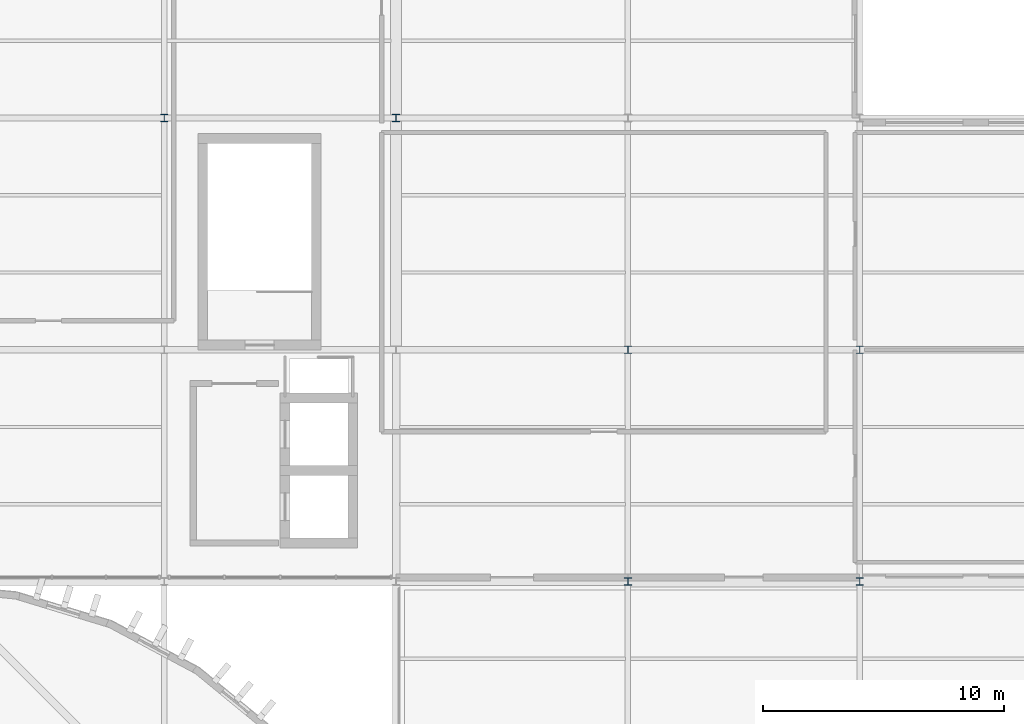
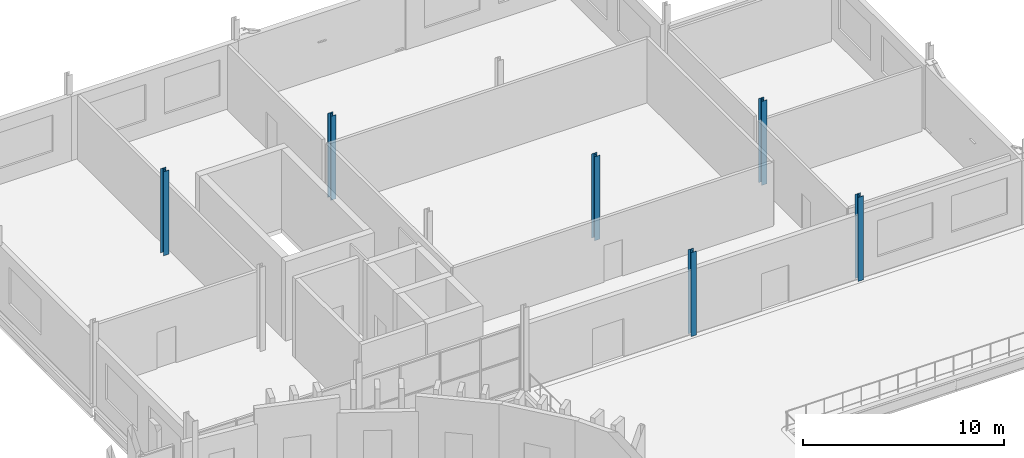
# One storey, part 6 of 45: 6 columns.
"""IFC4 building model written with IfcOpenShell, lengths in metres."""

from ifc_helpers import new_model, si_unit, direction, frame, origin, origin_2d, place, context, subcontext, project, spatial, i_section, extrude, material, material_profile, profile_set, type_object, element, save


model = new_model("IFC4")

# Units and contexts
model_context = context("Model", 3, precision=1e-05, world=origin(), true_north=direction((0.0, 1.0)))
body_context = subcontext(model_context, "Body", "Model", "MODEL_VIEW")
ifc_project = project(units=[si_unit("LENGTHUNIT", "METRE"), si_unit("AREAUNIT", "SQUARE_METRE"), si_unit("VOLUMEUNIT", "CUBIC_METRE"), si_unit("PLANEANGLEUNIT", "RADIAN"), si_unit("MASSUNIT", "GRAM", prefix="KILO")], contexts=[model_context])

# Site, building, storey
site_placement = place(None, origin())
site = spatial("IfcSite", under=ifc_project, at=site_placement, CompositionType="ELEMENT")
building_placement = place(site_placement, origin())
building = spatial("IfcBuilding", under=site, at=building_placement, Name="Caelomonte Colonnade Arena", CompositionType="ELEMENT")
storey_placement = place(building_placement, frame((0.0, 0.0, 23.10009765625)))
storey = spatial("IfcBuildingStorey", under=building, at=storey_placement, Name="L05", CompositionType="ELEMENT", Elevation=23.10009765625)

# Columns
ifc_material = material(Name="Wide-flange steel ASTM A992 Grade 50", Category="steel")
ifc_material_profile = material_profile(ifc_material, i_section(OverallWidth=0.3046875, OverallDepth=0.307861328125, WebThickness=0.010009765625, FlangeThickness=0.015380859375, FilletRadius=0.0126953125, at=origin_2d()), Name="W12X65")
ifc_profile_set = profile_set([ifc_material_profile], Name="Wide-flange steel ASTM A992 Grade 50")
column_type = type_object("IfcColumnType", Name="STR-COL-W12A", PredefinedType="COLUMN", material=ifc_profile_set)
for number, where, z_axis, x_axis, name in (
    (1, (153.60009765625, 134.39990234375, 0.0), (0.0, 0.0, 1.0), (1.0, 0.0, 0.0), "L05 column (153.6, 134.4)"),
    (2, (163.199951171875, 134.39990234375, 0.0), (0.0, 0.0, 1.0), (1.0, 0.0, 0.0), "L05 column (163.2, 134.4)"),
    (3, (172.800048828125, 115.199951171875, 0.0), (0.0, 0.0, 1.0), (1.0, 0.0, 0.0), "L05 column (172.8, 115.2)"),
    (4, (172.800048828125, 124.800048828125, 0.0), (0.0, 0.0, 1.0), (1.0, 0.0, 0.0), "L05 column (172.8, 124.8)"),
    (5, (182.39990234375, 115.199951171875, 0.0), (0.0, 0.0, 1.0), (1.0, 0.0, 0.0), "L05 column (182.4, 115.2)"),
    (6, (182.39990234375, 124.800048828125, 0.0), (0.0, 0.0, 1.0), (1.0, 0.0, 0.0), "L05 column (182.4, 124.8)"),
):
    element("IfcColumn", number, at=place(storey_placement, frame(where, z_axis=z_axis, x_axis=x_axis)), inside=storey, type_object=column_type, Name=name, PredefinedType="COLUMN", context=body_context, shape_type="SweptSolid", body=[
        extrude(i_section(OverallWidth=0.3046875, OverallDepth=0.307861328125, WebThickness=0.010009765625, FlangeThickness=0.015380859375, FilletRadius=0.0126953125, at=origin_2d()), origin(), (0.0, 0.0, 1.0), 5.099853515625),
    ])

save(model, "model.ifc")
